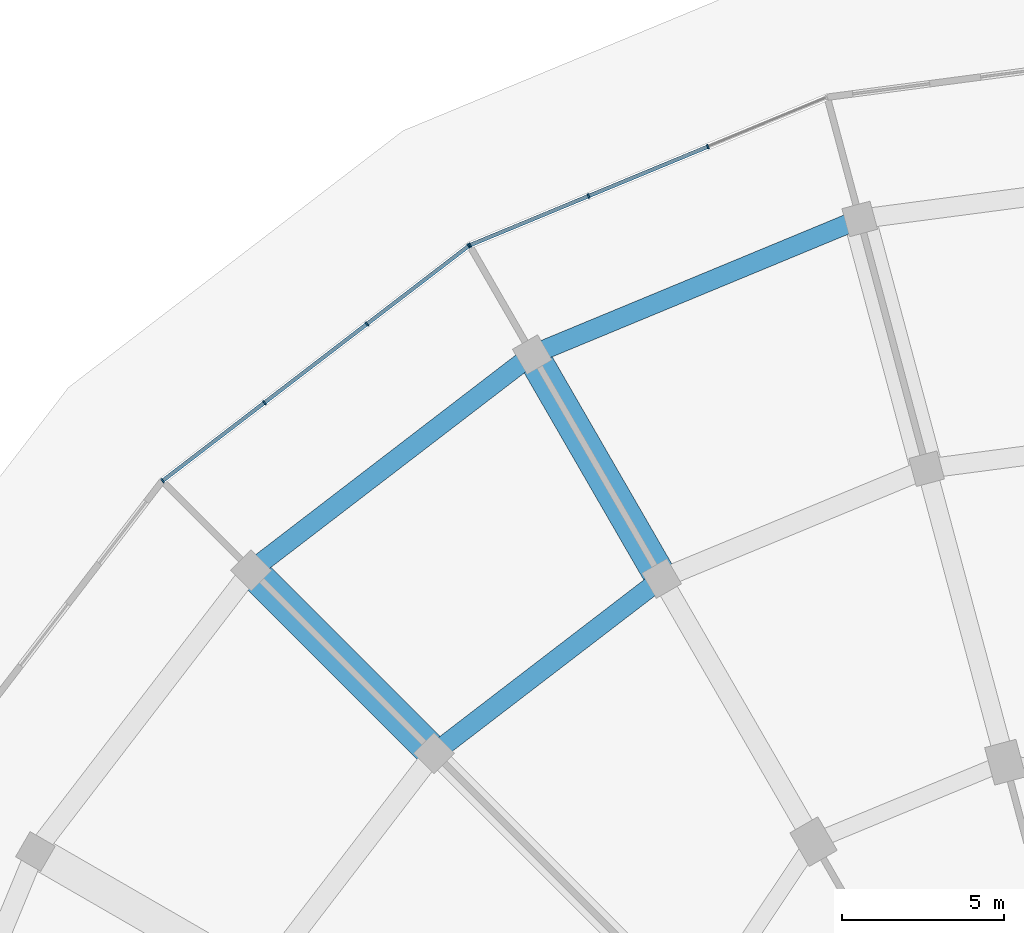
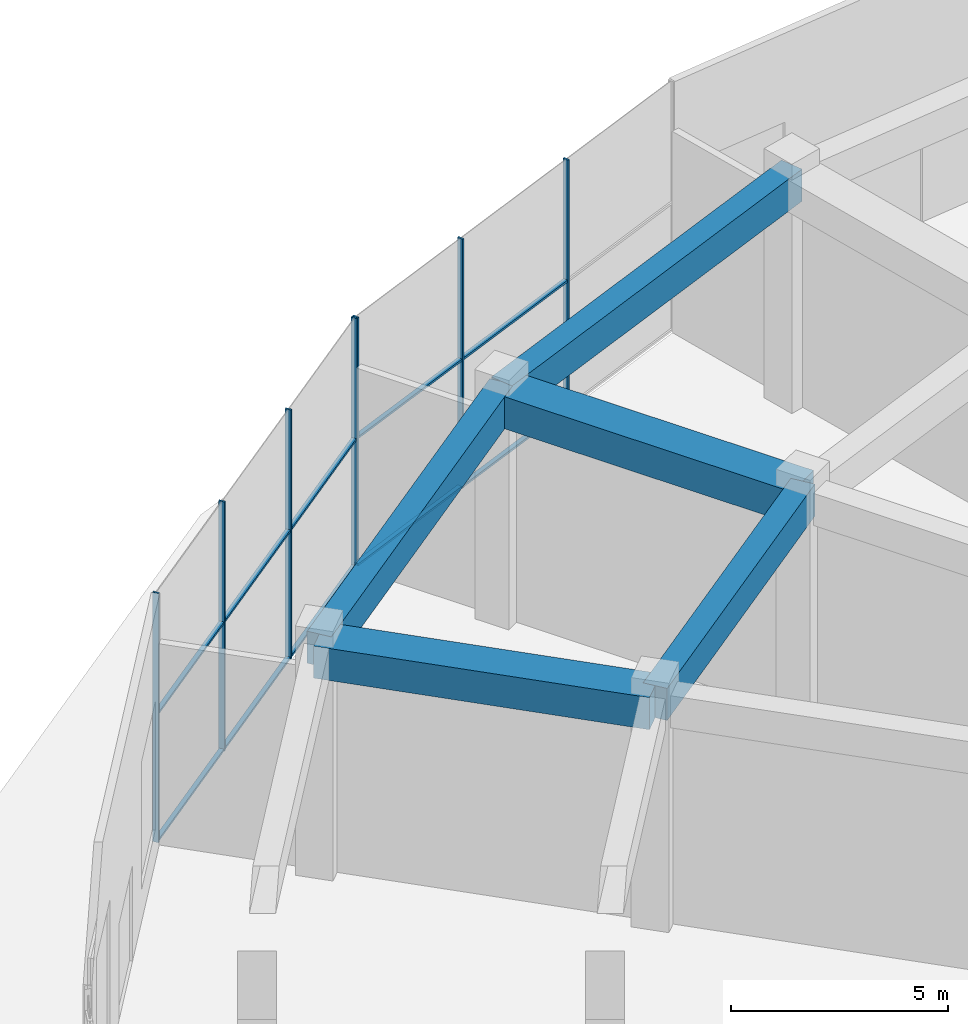
# One storey, part 13 of 31: 17 members, 5 beams, 2 elements without a shape of their own.
"""IFC4 building model written with IfcOpenShell, lengths in metres."""

from ifc_helpers import new_model, si_unit, direction, frame, origin, origin_2d, place, context, subcontext, project, spatial, rectangle, extrude, material, layer, layer_set, material_profile, profile_set, type_object, element, aggregate, save


model = new_model("IFC4")

# Units and contexts
model_context = context("Model", 3, precision=1e-05, world=origin(), true_north=direction((0.0, 1.0)))
body_context = subcontext(model_context, "Body", "Model", "MODEL_VIEW")
ifc_project = project(units=[si_unit("LENGTHUNIT", "METRE"), si_unit("AREAUNIT", "SQUARE_METRE"), si_unit("VOLUMEUNIT", "CUBIC_METRE"), si_unit("PLANEANGLEUNIT", "RADIAN"), si_unit("MASSUNIT", "GRAM", prefix="KILO")], contexts=[model_context])

# Site, building, storey
site_placement = place(None, origin())
site = spatial("IfcSite", under=ifc_project, at=site_placement, CompositionType="ELEMENT")
building_placement = place(site_placement, origin())
building = spatial("IfcBuilding", under=site, at=building_placement, Name="Torre Brocal", CompositionType="ELEMENT")
storey_placement = place(building_placement, origin())
storey = spatial("IfcBuildingStorey", under=building, at=storey_placement, Name="L00", CompositionType="ELEMENT", Elevation=0.0)

# Curtain wall, members
ifc_material_1 = material(Name="Aluminium and glass", Category="aluminium")
ifc_layer = layer(ifc_material_1, 0.199951171875)
ifc_layer_set = layer_set([ifc_layer], Name="Aluminium and glass")
curtain_wall_type = type_object("IfcCurtainWallType", Name="CW-3 CURTAIN WALL 7000 HIGH", PredefinedType="NOTDEFINED", material=ifc_layer_set)
curtain_wall_1_placement = place(storey_placement, origin())
curtain_wall_1 = element("IfcCurtainWall", 1, at=curtain_wall_1_placement, inside=storey, type_object=curtain_wall_type, Name="CW-3 RUN 8", PredefinedType="NOTDEFINED")
ifc_material_2 = material(Name="Aluminium, dark anodised", Category="aluminium")
ifc_material_profile_1 = material_profile(ifc_material_2, rectangle(XDim=0.14990234375, YDim=0.050048828125, at=origin_2d()), Name="CW-3 MULLION 50X150")
ifc_profile_set_1 = profile_set([ifc_material_profile_1], Name="Aluminium, dark anodised")
member_type_1 = type_object("IfcMemberType", Name="CW-3 MULLION 50X150", PredefinedType="MULLION", material=ifc_profile_set_1)
member_1_placement = place(storey_placement, frame((64.430419921875, 117.806640625, 0.0), z_axis=(0.0, 0.0, 1.0), x_axis=(0.382683432333, -0.923879532525, 0.0)))
member_1 = element("IfcMember", 2, at=member_1_placement, type_object=member_type_1, Name="CW3-1 mullion 2", PredefinedType="MULLION", context=body_context, shape_type="SweptSolid", body=[
    extrude(rectangle(XDim=0.14990234375, YDim=0.050048828125, at=origin_2d()), origin(), (0.0, 0.0, 1.0), 7.0),
])
member_2_placement = place(storey_placement, frame((60.740478515625, 116.2783203125, 0.0), z_axis=(0.0, 0.0, 1.0), x_axis=(0.382683432333, -0.923879532525, 0.0)))
member_2 = element("IfcMember", 3, at=member_2_placement, type_object=member_type_1, Name="CW3-1 mullion 3", PredefinedType="MULLION", context=body_context, shape_type="SweptSolid", body=[
    extrude(rectangle(XDim=0.14990234375, YDim=0.050048828125, at=origin_2d()), origin(), (0.0, 0.0, 1.0), 7.0),
])
member_3_placement = place(storey_placement, frame((57.073486328125, 114.75927734375, 0.0), z_axis=(0.0, 0.0, 1.0), x_axis=(0.382683432333, -0.923879532525, 0.0)))
member_3 = element("IfcMember", 4, at=member_3_placement, type_object=member_type_1, Name="CW3-1 mullion 4", PredefinedType="MULLION", context=body_context, shape_type="SweptSolid", body=[
    extrude(rectangle(XDim=0.14990234375, YDim=0.050048828125, at=origin_2d()), origin(), (0.0, 0.0, 1.0), 7.0),
])

curtain_wall_2_placement = place(storey_placement, origin())
curtain_wall_2 = element("IfcCurtainWall", 5, at=curtain_wall_2_placement, inside=storey, type_object=curtain_wall_type, Name="CW-3 RUN 9", PredefinedType="NOTDEFINED")
member_4_placement = place(storey_placement, frame((57.030517578125, 114.734619140625, 0.0), z_axis=(0.0, 0.0, 1.0), x_axis=(0.608761429009, -0.793353340291, 0.0)))
member_4 = element("IfcMember", 6, at=member_4_placement, type_object=member_type_1, Name="CW3-1 mullion 1", PredefinedType="MULLION", context=body_context, shape_type="SweptSolid", body=[
    extrude(rectangle(XDim=0.14990234375, YDim=0.050048828125, at=origin_2d()), origin(), (0.0, 0.0, 1.0), 7.0),
])
member_5_placement = place(storey_placement, frame((53.8818359375, 112.318359375, 0.0), z_axis=(0.0, 0.0, 1.0), x_axis=(0.608761429009, -0.793353340291, 0.0)))
member_5 = element("IfcMember", 7, at=member_5_placement, type_object=member_type_1, Name="CW3-1 mullion 2", PredefinedType="MULLION", context=body_context, shape_type="SweptSolid", body=[
    extrude(rectangle(XDim=0.14990234375, YDim=0.050048828125, at=origin_2d()), origin(), (0.0, 0.0, 1.0), 7.0),
])
member_6_placement = place(storey_placement, frame((50.713134765625, 109.886962890625, 0.0), z_axis=(0.0, 0.0, 1.0), x_axis=(0.608761429009, -0.793353340291, 0.0)))
member_6 = element("IfcMember", 8, at=member_6_placement, type_object=member_type_1, Name="CW3-1 mullion 3", PredefinedType="MULLION", context=body_context, shape_type="SweptSolid", body=[
    extrude(rectangle(XDim=0.14990234375, YDim=0.050048828125, at=origin_2d()), origin(), (0.0, 0.0, 1.0), 7.0),
])
member_7_placement = place(storey_placement, frame((47.564208984375, 107.470703125, 0.0), z_axis=(0.0, 0.0, 1.0), x_axis=(0.608761429009, -0.793353340291, 0.0)))
member_7 = element("IfcMember", 9, at=member_7_placement, type_object=member_type_1, Name="CW3-1 mullion 4", PredefinedType="MULLION", context=body_context, shape_type="SweptSolid", body=[
    extrude(rectangle(XDim=0.14990234375, YDim=0.050048828125, at=origin_2d()), origin(), (0.0, 0.0, 1.0), 7.0),
])

# Member
ifc_material_3 = material(Name="Aluminium, dark anodised", Category="aluminium")
ifc_material_profile_2 = material_profile(ifc_material_3, rectangle(XDim=0.1201171875, YDim=0.06005859375, at=origin_2d()), Name="CW-3 TRANSOM 120X60")
ifc_profile_set_2 = profile_set([ifc_material_profile_2], Name="Aluminium, dark anodised")
member_type_2 = type_object("IfcMemberType", Name="CW-3 TRANSOM 120X60", PredefinedType="USERDEFINED", material=ifc_profile_set_2)
member_8_placement = place(storey_placement, frame((64.4072265625, 117.797119140625, 0.030029296875), z_axis=(-0.92388253996, -0.382676171661, 0.0), x_axis=(0.382676171661, -0.92388253996, 0.0)))
member_8 = element("IfcMember", 10, at=member_8_placement, type_object=member_type_2, Name="CW3-1 transom 2.1", ObjectType="TRANSOM", PredefinedType="USERDEFINED", context=body_context, shape_type="SweptSolid", body=[
    extrude(rectangle(XDim=0.1201171875, YDim=0.06005859375, at=origin_2d()), origin(), (0.0, 0.0, 1.0), 3.944091796875),
])

member_9_placement = place(storey_placement, frame((64.4072265625, 117.797119140625, 3.60009765625), z_axis=(-0.92388253996, -0.382676171661, 0.0), x_axis=(0.382676171661, -0.92388253996, 0.0)))
member_9 = element("IfcMember", 11, at=member_9_placement, type_object=member_type_2, Name="CW3-1 transom 2.2", ObjectType="TRANSOM", PredefinedType="USERDEFINED", context=body_context, shape_type="SweptSolid", body=[
    extrude(rectangle(XDim=0.1201171875, YDim=0.06005859375, at=origin_2d()), origin(), (0.0, 0.0, 1.0), 3.944091796875),
])

member_10_placement = place(storey_placement, frame((60.71728515625, 116.268798828125, 0.030029296875), z_axis=(-0.92387484386, -0.382694751573, 0.0), x_axis=(0.382694751573, -0.92387484386, 0.0)))
member_10 = element("IfcMember", 12, at=member_10_placement, type_object=member_type_2, Name="CW3-1 transom 3.1", ObjectType="TRANSOM", PredefinedType="USERDEFINED", context=body_context, shape_type="SweptSolid", body=[
    extrude(rectangle(XDim=0.1201171875, YDim=0.06005859375, at=origin_2d()), origin(), (0.0, 0.0, 1.0), 3.9189453125),
])

member_11_placement = place(storey_placement, frame((60.71728515625, 116.268798828125, 3.60009765625), z_axis=(-0.92387484386, -0.382694751573, 0.0), x_axis=(0.382694751573, -0.92387484386, 0.0)))
member_11 = element("IfcMember", 13, at=member_11_placement, type_object=member_type_2, Name="CW3-1 transom 3.2", ObjectType="TRANSOM", PredefinedType="USERDEFINED", context=body_context, shape_type="SweptSolid", body=[
    extrude(rectangle(XDim=0.1201171875, YDim=0.06005859375, at=origin_2d()), origin(), (0.0, 0.0, 1.0), 3.9189453125),
])

aggregate(curtain_wall_1, [member_1, member_2, member_3, member_8, member_9, member_10, member_11])

member_12_placement = place(storey_placement, frame((57.0107421875, 114.719482421875, 0.030029296875), z_axis=(-0.793350608133, -0.60876498961, 0.0), x_axis=(0.60876498961, -0.793350608133, 0.0)))
member_12 = element("IfcMember", 14, at=member_12_placement, type_object=member_type_2, Name="CW3-1 transom 1.1", ObjectType="TRANSOM", PredefinedType="USERDEFINED", context=body_context, shape_type="SweptSolid", body=[
    extrude(rectangle(XDim=0.1201171875, YDim=0.06005859375, at=origin_2d()), origin(), (0.0, 0.0, 1.0), 3.9189453125),
])

member_13_placement = place(storey_placement, frame((57.0107421875, 114.719482421875, 3.60009765625), z_axis=(-0.793350608133, -0.60876498961, 0.0), x_axis=(0.60876498961, -0.793350608133, 0.0)))
member_13 = element("IfcMember", 15, at=member_13_placement, type_object=member_type_2, Name="CW3-1 transom 1.2", ObjectType="TRANSOM", PredefinedType="USERDEFINED", context=body_context, shape_type="SweptSolid", body=[
    extrude(rectangle(XDim=0.1201171875, YDim=0.06005859375, at=origin_2d()), origin(), (0.0, 0.0, 1.0), 3.9189453125),
])

member_14_placement = place(storey_placement, frame((53.86181640625, 112.30322265625, 0.030029296875), z_axis=(-0.793325317302, -0.608797947539, 0.0), x_axis=(0.608797947539, -0.793325317302, 0.0)))
member_14 = element("IfcMember", 16, at=member_14_placement, type_object=member_type_2, Name="CW3-1 transom 2.1", ObjectType="TRANSOM", PredefinedType="USERDEFINED", context=body_context, shape_type="SweptSolid", body=[
    extrude(rectangle(XDim=0.1201171875, YDim=0.06005859375, at=origin_2d()), origin(), (0.0, 0.0, 1.0), 3.944091796875),
])

member_15_placement = place(storey_placement, frame((53.86181640625, 112.30322265625, 3.60009765625), z_axis=(-0.793325317302, -0.608797947539, 0.0), x_axis=(0.608797947539, -0.793325317302, 0.0)))
member_15 = element("IfcMember", 17, at=member_15_placement, type_object=member_type_2, Name="CW3-1 transom 2.2", ObjectType="TRANSOM", PredefinedType="USERDEFINED", context=body_context, shape_type="SweptSolid", body=[
    extrude(rectangle(XDim=0.1201171875, YDim=0.06005859375, at=origin_2d()), origin(), (0.0, 0.0, 1.0), 3.944091796875),
])

member_16_placement = place(storey_placement, frame((50.693359375, 109.871826171875, 0.030029296875), z_axis=(-0.793373693318, -0.60873490351, 0.0), x_axis=(0.60873490351, -0.793373693318, 0.0)))
member_16 = element("IfcMember", 18, at=member_16_placement, type_object=member_type_2, Name="CW3-1 transom 3.1", ObjectType="TRANSOM", PredefinedType="USERDEFINED", context=body_context, shape_type="SweptSolid", body=[
    extrude(rectangle(XDim=0.1201171875, YDim=0.06005859375, at=origin_2d()), origin(), (0.0, 0.0, 1.0), 3.919189453125),
])

member_17_placement = place(storey_placement, frame((50.693359375, 109.871826171875, 3.60009765625), z_axis=(-0.793373693318, -0.60873490351, 0.0), x_axis=(0.60873490351, -0.793373693318, 0.0)))
member_17 = element("IfcMember", 19, at=member_17_placement, type_object=member_type_2, Name="CW3-1 transom 3.2", ObjectType="TRANSOM", PredefinedType="USERDEFINED", context=body_context, shape_type="SweptSolid", body=[
    extrude(rectangle(XDim=0.1201171875, YDim=0.06005859375, at=origin_2d()), origin(), (0.0, 0.0, 1.0), 3.919189453125),
])

aggregate(curtain_wall_2, [member_4, member_5, member_6, member_7, member_12, member_13, member_14, member_15, member_16, member_17])

# Beams
ifc_material_4 = material(Name="Concrete C50", Category="concrete")
ifc_material_profile_3 = material_profile(ifc_material_4, rectangle(XDim=0.60009765625, YDim=0.89990234375, at=origin_2d()), Name="RC 600X900")
ifc_profile_set_3 = profile_set([ifc_material_profile_3], Name="Concrete C50")
beam_type_1 = type_object("IfcBeamType", Name="RC BEAM 600X900 C50 TOP 6550", PredefinedType="BEAM", material=ifc_profile_set_3)
for number, where, z_axis, x_axis, name in (
    (20, (69.129638671875, 115.56884765625, 6.10009765625), (-0.923880594648, -0.382680868131, 0.0), (0.382680868131, -0.923880594648, 0.0), "Beam BT-07"),
    (21, (59.0, 111.373046875, 6.10009765625), (-0.793354343168, -0.608760122032, 0.0), (0.608760122032, -0.793354343168, 0.0), "Beam BT-07"),
):
    element("IfcBeam", number, at=place(storey_placement, frame(where, z_axis=z_axis, x_axis=x_axis)), inside=storey, type_object=beam_type_1, Name=name, PredefinedType="BEAM", context=body_context, shape_type="SweptSolid", body=[
        extrude(rectangle(XDim=0.60009765625, YDim=0.89990234375, at=origin_2d()), origin(), (0.0, 0.0, 1.0), 10.964111328125),
    ])
beam_1_placement = place(storey_placement, frame((63.0, 104.44482421875, 6.10009765625), z_axis=(-0.793366788253, -0.608743902882, 0.0), x_axis=(0.608743902882, -0.793366788253, 0.0)))
element("IfcBeam", 22, at=beam_1_placement, inside=storey, type_object=beam_type_1, Name="Beam BT-07", PredefinedType="BEAM", context=body_context, shape_type="SweptSolid", body=[
    extrude(rectangle(XDim=0.60009765625, YDim=0.89990234375, at=origin_2d()), origin(), (0.0, 0.0, 1.0), 8.875732421875),
])
ifc_material_5 = material(Name="Concrete C60", Category="concrete")
ifc_material_profile_4 = material_profile(ifc_material_5, rectangle(XDim=1.0, YDim=0.89990234375, at=origin_2d()), Name="RC 1000X900")
ifc_profile_set_4 = profile_set([ifc_material_profile_4], Name="Concrete C60")
beam_type_2 = type_object("IfcBeamType", Name="RC TRANSFER GIRDER 1000X900 C60 TOP 6550", PredefinedType="BEAM", material=ifc_profile_set_4)
beam_2_placement = place(storey_placement, frame((55.958251953125, 99.041748046875, 6.10009765625), z_axis=(-0.707106781187, 0.707106781187, 0.0), x_axis=(-0.707106781187, -0.707106781187, 0.0)))
element("IfcBeam", 23, at=beam_2_placement, inside=storey, type_object=beam_type_2, Name="Beam TG-01", PredefinedType="BEAM", context=body_context, shape_type="SweptSolid", body=[
    extrude(rectangle(XDim=1.0, YDim=0.89990234375, at=origin_2d()), origin(), (0.0, 0.0, 1.0), 7.999755859375),
])
beam_3_placement = place(storey_placement, frame((63.0, 104.44482421875, 6.10009765625), z_axis=(-0.49999894854, 0.866026010844, 0.0), x_axis=(-0.866026010844, -0.49999894854, 0.0)))
element("IfcBeam", 24, at=beam_3_placement, inside=storey, type_object=beam_type_2, Name="Beam TG-01", PredefinedType="BEAM", context=body_context, shape_type="SweptSolid", body=[
    extrude(rectangle(XDim=1.0, YDim=0.89990234375, at=origin_2d()), origin(), (0.0, 0.0, 1.0), 8.0),
])

save(model, "model.ifc")
